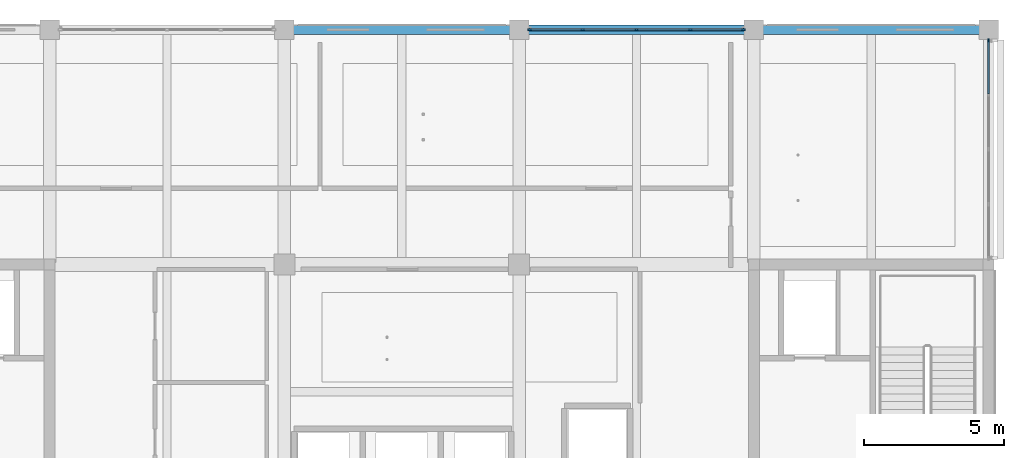
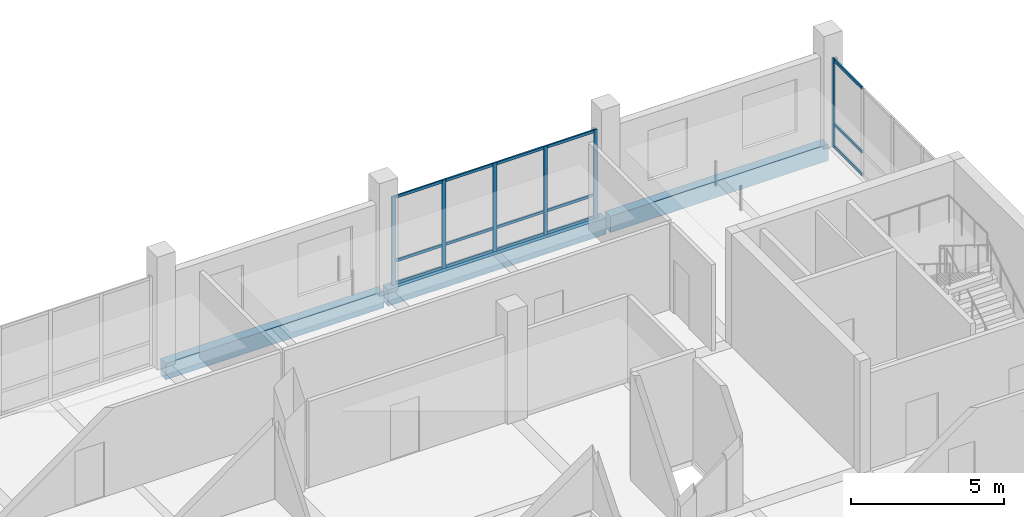
# One storey, part 9 of 35: 21 members, 3 beams, 2 elements without a shape of their own.
"""IFC4 building model written with IfcOpenShell, lengths in metres."""

from ifc_helpers import new_model, si_unit, direction, frame, origin, origin_2d, place, context, subcontext, project, spatial, rectangle, extrude, material, layer, layer_set, material_profile, profile_set, type_object, element, aggregate, save


model = new_model("IFC4")

# Units and contexts
model_context = context("Model", 3, precision=1e-05, world=origin(), true_north=direction((0.0, 1.0)))
body_context = subcontext(model_context, "Body", "Model", "MODEL_VIEW")
ifc_project = project(units=[si_unit("LENGTHUNIT", "METRE"), si_unit("AREAUNIT", "SQUARE_METRE"), si_unit("VOLUMEUNIT", "CUBIC_METRE"), si_unit("PLANEANGLEUNIT", "RADIAN"), si_unit("MASSUNIT", "GRAM", prefix="KILO")], contexts=[model_context])

# Site, building, storey
site_placement = place(None, origin())
site = spatial("IfcSite", under=ifc_project, at=site_placement, CompositionType="ELEMENT")
building_placement = place(site_placement, origin())
building = spatial("IfcBuilding", under=site, at=building_placement, Name="Telukmera Botanical Conservatory", CompositionType="ELEMENT")
storey_placement = place(building_placement, frame((0.0, 0.0, 46.5)))
storey = spatial("IfcBuildingStorey", under=building, at=storey_placement, Name="L10", CompositionType="ELEMENT", Elevation=46.5)

# Beams
ifc_material_1 = material(Name="Precast concrete C40/50", Category="concrete")
ifc_material_profile_1 = material_profile(ifc_material_1, rectangle(XDim=0.35009765625, YDim=0.64990234375, at=origin_2d()), Name="PC 350x650")
ifc_profile_set_1 = profile_set([ifc_material_profile_1], Name="Precast concrete C40/50")
beam_type = type_object("IfcBeamType", Name="Beam_SP3", PredefinedType="SPANDREL", material=ifc_profile_set_1)
for number, where, z_axis, x_axis, name in (
    (1, (75.679931640625, 42.800048828125, -0.324951171875), (1.0, 0.0, 0.0), (0.0, 1.0, 0.0), "Tower Grid Beam L10"),
    (2, (84.080078125, 42.800048828125, -0.324951171875), (1.0, 0.0, 0.0), (0.0, 1.0, 0.0), "Tower Grid Beam L10"),
    (3, (92.47998046875, 42.800048828125, -0.324951171875), (1.0, 0.0, 0.0), (0.0, 1.0, 0.0), "Tower Grid Beam L10"),
):
    element("IfcBeam", number, at=place(storey_placement, frame(where, z_axis=z_axis, x_axis=x_axis)), inside=storey, type_object=beam_type, Name=name, PredefinedType="SPANDREL", context=body_context, shape_type="SweptSolid", body=[
        extrude(rectangle(XDim=0.35009765625, YDim=0.64990234375, at=origin_2d()), origin(), (0.0, 0.0, 1.0), 8.239990234375),
    ])

# Curtain wall, members
ifc_material_2 = material(Name="Anodised aluminium 6063-T6", Category="aluminium")
ifc_layer = layer(ifc_material_2, 0.179931640625)
ifc_layer_set = layer_set([ifc_layer], Name="Anodised aluminium 6063-T6")
curtain_wall_type = type_object("IfcCurtainWallType", Name="Tower Research Laboratory Unitised Curtain Wall", PredefinedType="USERDEFINED", material=ifc_layer_set)
curtain_wall_1_placement = place(storey_placement, origin())
curtain_wall_1 = element("IfcCurtainWall", 4, at=curtain_wall_1_placement, inside=storey, type_object=curtain_wall_type, Name="Unitised Curtain Wall CW15 V4:L10:N5", ObjectType="UNITISED CURTAIN WALL", PredefinedType="USERDEFINED")
ifc_material_profile_2 = material_profile(ifc_material_2, rectangle(XDim=0.06005859375, YDim=0.139892578125, at=origin_2d()), Name="ALU MULL 60x140")
ifc_profile_set_2 = profile_set([ifc_material_profile_2], Name="Anodised aluminium 6063-T6")
member_type_1 = type_object("IfcMemberType", Name="Curtain Wall Extruded Mullion 60x140", PredefinedType="MULLION", material=ifc_profile_set_2)
member_1_placement = place(storey_placement, frame((84.382080078125, 42.800048828125, 0.0), z_axis=(0.0, 0.0, 1.0), x_axis=(0.0, 1.0, 0.0)))
member_1 = element("IfcMember", 5, at=member_1_placement, type_object=member_type_1, Name="CW15 mullion 1", PredefinedType="MULLION", context=body_context, shape_type="SweptSolid", body=[
    extrude(rectangle(XDim=0.06005859375, YDim=0.139892578125, at=origin_2d()), origin(), (0.0, 0.0, 1.0), 3.550048828125),
])
member_2_placement = place(storey_placement, frame((86.27587890625, 42.800048828125, 0.0), z_axis=(0.0, 0.0, 1.0), x_axis=(0.0, 1.0, 0.0)))
member_2 = element("IfcMember", 6, at=member_2_placement, type_object=member_type_1, Name="CW15 mullion 2", PredefinedType="MULLION", context=body_context, shape_type="SweptSolid", body=[
    extrude(rectangle(XDim=0.06005859375, YDim=0.139892578125, at=origin_2d()), origin(), (0.0, 0.0, 1.0), 3.550048828125),
])
member_3_placement = place(storey_placement, frame((88.199951171875, 42.800048828125, 0.0), z_axis=(0.0, 0.0, 1.0), x_axis=(0.0, 1.0, 0.0)))
member_3 = element("IfcMember", 7, at=member_3_placement, type_object=member_type_1, Name="CW15 mullion 3", PredefinedType="MULLION", context=body_context, shape_type="SweptSolid", body=[
    extrude(rectangle(XDim=0.06005859375, YDim=0.139892578125, at=origin_2d()), origin(), (0.0, 0.0, 1.0), 3.550048828125),
])
member_4_placement = place(storey_placement, frame((90.1240234375, 42.800048828125, 0.0), z_axis=(0.0, 0.0, 1.0), x_axis=(0.0, 1.0, 0.0)))
member_4 = element("IfcMember", 8, at=member_4_placement, type_object=member_type_1, Name="CW15 mullion 4", PredefinedType="MULLION", context=body_context, shape_type="SweptSolid", body=[
    extrude(rectangle(XDim=0.06005859375, YDim=0.139892578125, at=origin_2d()), origin(), (0.0, 0.0, 1.0), 3.550048828125),
])
member_5_placement = place(storey_placement, frame((92.01806640625, 42.800048828125, 0.0), z_axis=(0.0, 0.0, 1.0), x_axis=(0.0, 1.0, 0.0)))
member_5 = element("IfcMember", 9, at=member_5_placement, type_object=member_type_1, Name="CW15 mullion 5", PredefinedType="MULLION", context=body_context, shape_type="SweptSolid", body=[
    extrude(rectangle(XDim=0.06005859375, YDim=0.139892578125, at=origin_2d()), origin(), (0.0, 0.0, 1.0), 3.550048828125),
])

# Curtain wall, member
curtain_wall_2_placement = place(storey_placement, origin())
curtain_wall_2 = element("IfcCurtainWall", 10, at=curtain_wall_2_placement, inside=storey, type_object=curtain_wall_type, Name="Unitised Curtain Wall CW15 V4:L10:E4", ObjectType="UNITISED CURTAIN WALL", PredefinedType="USERDEFINED")
member_6_placement = place(storey_placement, frame((100.800048828125, 42.41796875, 0.0), z_axis=(0.0, 0.0, 1.0), x_axis=(-1.0, 0.0, 0.0)))
member_6 = element("IfcMember", 11, at=member_6_placement, type_object=member_type_1, Name="CW15 mullion 5", PredefinedType="MULLION", context=body_context, shape_type="SweptSolid", body=[
    extrude(rectangle(XDim=0.06005859375, YDim=0.139892578125, at=origin_2d()), origin(), (0.0, 0.0, 1.0), 3.550048828125),
])

# Member
ifc_material_profile_3 = material_profile(ifc_material_2, rectangle(XDim=0.06005859375, YDim=0.110107421875, at=origin_2d()), Name="ALU TRAN 60x110")
ifc_profile_set_3 = profile_set([ifc_material_profile_3], Name="Anodised aluminium 6063-T6")
member_type_2 = type_object("IfcMemberType", Name="Curtain Wall Extruded Transom 60x110", PredefinedType="USERDEFINED", material=ifc_profile_set_3)
member_7_placement = place(storey_placement, frame((84.412109375, 42.800048828125, 0.054931640625), z_axis=(1.0, 0.0, 0.0), x_axis=(0.0, 1.0, 0.0)))
member_7 = element("IfcMember", 12, at=member_7_placement, type_object=member_type_2, Name="CW15 transom 1.1", ObjectType="TRANSOM", PredefinedType="USERDEFINED", context=body_context, shape_type="SweptSolid", body=[
    extrude(rectangle(XDim=0.06005859375, YDim=0.110107421875, at=origin_2d()), origin(), (0.0, 0.0, 1.0), 1.833984375),
])

member_8_placement = place(storey_placement, frame((84.412109375, 42.800048828125, 0.949951171875), z_axis=(1.0, 0.0, 0.0), x_axis=(0.0, 1.0, 0.0)))
member_8 = element("IfcMember", 13, at=member_8_placement, type_object=member_type_2, Name="CW15 transom 1.2", ObjectType="TRANSOM", PredefinedType="USERDEFINED", context=body_context, shape_type="SweptSolid", body=[
    extrude(rectangle(XDim=0.06005859375, YDim=0.110107421875, at=origin_2d()), origin(), (0.0, 0.0, 1.0), 1.833984375),
])

member_9_placement = place(storey_placement, frame((84.412109375, 42.800048828125, 3.4951171875), z_axis=(1.0, 0.0, 0.0), x_axis=(0.0, 1.0, 0.0)))
member_9 = element("IfcMember", 14, at=member_9_placement, type_object=member_type_2, Name="CW15 transom 1.3", ObjectType="TRANSOM", PredefinedType="USERDEFINED", context=body_context, shape_type="SweptSolid", body=[
    extrude(rectangle(XDim=0.06005859375, YDim=0.110107421875, at=origin_2d()), origin(), (0.0, 0.0, 1.0), 1.833984375),
])

member_10_placement = place(storey_placement, frame((86.305908203125, 42.800048828125, 0.054931640625), z_axis=(1.0, 0.0, 0.0), x_axis=(0.0, 1.0, 0.0)))
member_10 = element("IfcMember", 15, at=member_10_placement, type_object=member_type_2, Name="CW15 transom 2.1", ObjectType="TRANSOM", PredefinedType="USERDEFINED", context=body_context, shape_type="SweptSolid", body=[
    extrude(rectangle(XDim=0.06005859375, YDim=0.110107421875, at=origin_2d()), origin(), (0.0, 0.0, 1.0), 1.864013671875),
])

member_11_placement = place(storey_placement, frame((86.305908203125, 42.800048828125, 0.949951171875), z_axis=(1.0, 0.0, 0.0), x_axis=(0.0, 1.0, 0.0)))
member_11 = element("IfcMember", 16, at=member_11_placement, type_object=member_type_2, Name="CW15 transom 2.2", ObjectType="TRANSOM", PredefinedType="USERDEFINED", context=body_context, shape_type="SweptSolid", body=[
    extrude(rectangle(XDim=0.06005859375, YDim=0.110107421875, at=origin_2d()), origin(), (0.0, 0.0, 1.0), 1.864013671875),
])

member_12_placement = place(storey_placement, frame((86.305908203125, 42.800048828125, 3.4951171875), z_axis=(1.0, 0.0, 0.0), x_axis=(0.0, 1.0, 0.0)))
member_12 = element("IfcMember", 17, at=member_12_placement, type_object=member_type_2, Name="CW15 transom 2.3", ObjectType="TRANSOM", PredefinedType="USERDEFINED", context=body_context, shape_type="SweptSolid", body=[
    extrude(rectangle(XDim=0.06005859375, YDim=0.110107421875, at=origin_2d()), origin(), (0.0, 0.0, 1.0), 1.864013671875),
])

member_13_placement = place(storey_placement, frame((88.22998046875, 42.800048828125, 0.054931640625), z_axis=(1.0, 0.0, 0.0), x_axis=(0.0, 1.0, 0.0)))
member_13 = element("IfcMember", 18, at=member_13_placement, type_object=member_type_2, Name="CW15 transom 3.1", ObjectType="TRANSOM", PredefinedType="USERDEFINED", context=body_context, shape_type="SweptSolid", body=[
    extrude(rectangle(XDim=0.06005859375, YDim=0.110107421875, at=origin_2d()), origin(), (0.0, 0.0, 1.0), 1.864013671875),
])

member_14_placement = place(storey_placement, frame((88.22998046875, 42.800048828125, 0.949951171875), z_axis=(1.0, 0.0, 0.0), x_axis=(0.0, 1.0, 0.0)))
member_14 = element("IfcMember", 19, at=member_14_placement, type_object=member_type_2, Name="CW15 transom 3.2", ObjectType="TRANSOM", PredefinedType="USERDEFINED", context=body_context, shape_type="SweptSolid", body=[
    extrude(rectangle(XDim=0.06005859375, YDim=0.110107421875, at=origin_2d()), origin(), (0.0, 0.0, 1.0), 1.864013671875),
])

member_15_placement = place(storey_placement, frame((88.22998046875, 42.800048828125, 3.4951171875), z_axis=(1.0, 0.0, 0.0), x_axis=(0.0, 1.0, 0.0)))
member_15 = element("IfcMember", 20, at=member_15_placement, type_object=member_type_2, Name="CW15 transom 3.3", ObjectType="TRANSOM", PredefinedType="USERDEFINED", context=body_context, shape_type="SweptSolid", body=[
    extrude(rectangle(XDim=0.06005859375, YDim=0.110107421875, at=origin_2d()), origin(), (0.0, 0.0, 1.0), 1.864013671875),
])

member_16_placement = place(storey_placement, frame((90.154052734375, 42.800048828125, 0.054931640625), z_axis=(1.0, 0.0, 0.0), x_axis=(0.0, 1.0, 0.0)))
member_16 = element("IfcMember", 21, at=member_16_placement, type_object=member_type_2, Name="CW15 transom 4.1", ObjectType="TRANSOM", PredefinedType="USERDEFINED", context=body_context, shape_type="SweptSolid", body=[
    extrude(rectangle(XDim=0.06005859375, YDim=0.110107421875, at=origin_2d()), origin(), (0.0, 0.0, 1.0), 1.833984375),
])

member_17_placement = place(storey_placement, frame((90.154052734375, 42.800048828125, 0.949951171875), z_axis=(1.0, 0.0, 0.0), x_axis=(0.0, 1.0, 0.0)))
member_17 = element("IfcMember", 22, at=member_17_placement, type_object=member_type_2, Name="CW15 transom 4.2", ObjectType="TRANSOM", PredefinedType="USERDEFINED", context=body_context, shape_type="SweptSolid", body=[
    extrude(rectangle(XDim=0.06005859375, YDim=0.110107421875, at=origin_2d()), origin(), (0.0, 0.0, 1.0), 1.833984375),
])

member_18_placement = place(storey_placement, frame((90.154052734375, 42.800048828125, 3.4951171875), z_axis=(1.0, 0.0, 0.0), x_axis=(0.0, 1.0, 0.0)))
member_18 = element("IfcMember", 23, at=member_18_placement, type_object=member_type_2, Name="CW15 transom 4.3", ObjectType="TRANSOM", PredefinedType="USERDEFINED", context=body_context, shape_type="SweptSolid", body=[
    extrude(rectangle(XDim=0.06005859375, YDim=0.110107421875, at=origin_2d()), origin(), (0.0, 0.0, 1.0), 1.833984375),
])

aggregate(curtain_wall_1, [member_1, member_2, member_3, member_4, member_5, member_7, member_8, member_9, member_10, member_11, member_12, member_13, member_14, member_15, member_16, member_17, member_18])

member_19_placement = place(storey_placement, frame((100.800048828125, 40.5166015625, 0.054931640625), z_axis=(0.0, 1.0, 0.0), x_axis=(-1.0, 0.0, 0.0)))
member_19 = element("IfcMember", 24, at=member_19_placement, type_object=member_type_2, Name="CW15 transom 4.1", ObjectType="TRANSOM", PredefinedType="USERDEFINED", context=body_context, shape_type="SweptSolid", body=[
    extrude(rectangle(XDim=0.06005859375, YDim=0.110107421875, at=origin_2d()), origin(), (0.0, 0.0, 1.0), 1.871337890625),
])

member_20_placement = place(storey_placement, frame((100.800048828125, 40.5166015625, 0.949951171875), z_axis=(0.0, 1.0, 0.0), x_axis=(-1.0, 0.0, 0.0)))
member_20 = element("IfcMember", 25, at=member_20_placement, type_object=member_type_2, Name="CW15 transom 4.2", ObjectType="TRANSOM", PredefinedType="USERDEFINED", context=body_context, shape_type="SweptSolid", body=[
    extrude(rectangle(XDim=0.06005859375, YDim=0.110107421875, at=origin_2d()), origin(), (0.0, 0.0, 1.0), 1.871337890625),
])

member_21_placement = place(storey_placement, frame((100.800048828125, 40.5166015625, 3.4951171875), z_axis=(0.0, 1.0, 0.0), x_axis=(-1.0, 0.0, 0.0)))
member_21 = element("IfcMember", 26, at=member_21_placement, type_object=member_type_2, Name="CW15 transom 4.3", ObjectType="TRANSOM", PredefinedType="USERDEFINED", context=body_context, shape_type="SweptSolid", body=[
    extrude(rectangle(XDim=0.06005859375, YDim=0.110107421875, at=origin_2d()), origin(), (0.0, 0.0, 1.0), 1.871337890625),
])

aggregate(curtain_wall_2, [member_6, member_19, member_20, member_21])

save(model, "model.ifc")
